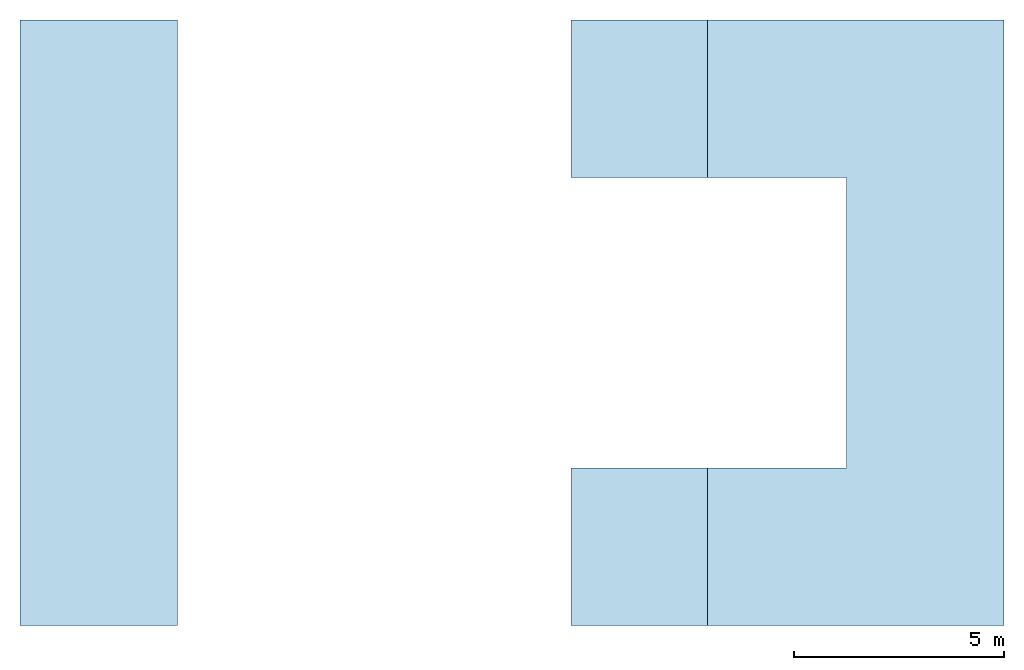
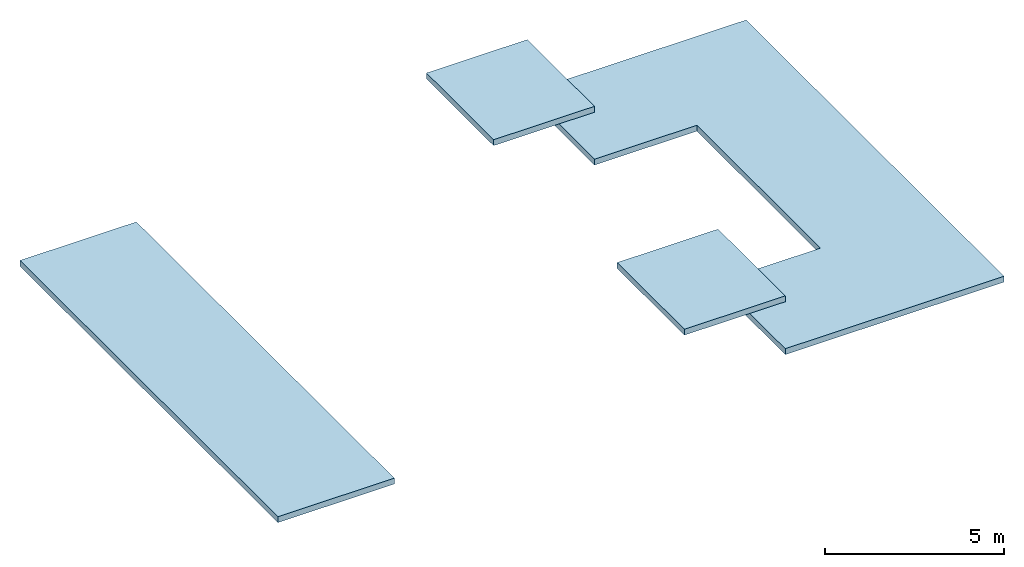
# One storey: 4 slabs.
"""IFC4 building model written with IfcOpenShell, lengths in metres."""

import ifcopenshell
import ifcopenshell.guid

model = None  # the IFC model being written
_history = None  # IfcOwnerHistory: only IFC2X3 demands one
_inside = {}  # id of a spatial element -> (the spatial element, [elements in it])
_under = {}  # id of a project, library or spatial element -> (it, [spatial elements below it])
_declared = {}  # id of a project -> (the project, [libraries it declares])
_typed = {}  # id of a type object -> (the type object, [elements of that type])
_made_of = {}  # id of a material, layer set ... -> (it, [elements and type objects made of it])


def new_model(schema):
    """Start an empty IFC model of exactly this schema.

    Asked for "IFC4X3", IfcOpenShell would pick the latest addendum, in which some entities
    have other attributes; the version numbers below select the first issue.
    IFC2X3 requires an IfcOwnerHistory on every rooted entity: one is made here for all.
    """
    global model, _history
    if schema == "IFC4X3":
        model = ifcopenshell.file(schema_version=(4, 3, 0, 0))
    else:
        model = ifcopenshell.file(schema=schema)
    _inside.clear()
    _under.clear()
    _declared.clear()
    _typed.clear()
    _made_of.clear()
    _history = None
    if model.schema == "IFC2X3":
        org = make("IfcOrganization", Name="unknown")
        user = make(
            "IfcPersonAndOrganization",
            ThePerson=make("IfcPerson", FamilyName="unknown"),
            TheOrganization=org,
        )
        app = make(
            "IfcApplication",
            ApplicationDeveloper=org,
            Version="unknown",
            ApplicationFullName="unknown",
            ApplicationIdentifier="unknown",
        )
        _history = make(
            "IfcOwnerHistory",
            OwningUser=user,
            OwningApplication=app,
            ChangeAction="ADDED",
            CreationDate=0,
        )
    return model


def make(cls, **values):
    """One entity of the class cls with the attributes given. An attribute that is None is left unset."""
    return model.create_entity(
        cls, **{name: value for name, value in values.items() if value is not None}
    )


def rooted(cls, **values):
    """An entity with a GlobalId (a new one), such as an element, a storey or a relation."""
    return make(cls, GlobalId=ifcopenshell.guid.new(), OwnerHistory=_history, **values)


def si_unit(unit_type, name, prefix=None):
    """IfcSIUnit, for example si_unit("LENGTHUNIT", "METRE", prefix="MILLI")."""
    return make("IfcSIUnit", UnitType=unit_type, Prefix=prefix, Name=name)


def assignment(units):
    """IfcUnitAssignment: the units of a project."""
    return None if units is None else make("IfcUnitAssignment", Units=units)


def point(xyz):
    """IfcCartesianPoint."""
    return None if xyz is None else make("IfcCartesianPoint", Coordinates=xyz)


def direction(xyz):
    """IfcDirection."""
    return None if xyz is None else make("IfcDirection", DirectionRatios=xyz)


def frame(location, z_axis=None, x_axis=None):
    """IfcAxis2Placement3D, a coordinate frame: its origin and axes. An axis left out is left unset."""
    return make(
        "IfcAxis2Placement3D",
        Location=point(location),
        Axis=direction(z_axis),
        RefDirection=direction(x_axis),
    )


def origin():
    """The frame at (0, 0, 0) with its axes left unset."""
    return frame((0.0, 0.0, 0.0))


def place(relative_to, where):
    """IfcLocalPlacement: puts the frame where relative to a parent placement (None: the world)."""
    return make(
        "IfcLocalPlacement", PlacementRelTo=relative_to, RelativePlacement=where
    )


def context(
    kind, dimensions, precision=None, world=None, true_north=None, identifier=None
):
    """IfcGeometricRepresentationContext, for example the 3D "Model" context."""
    return make(
        "IfcGeometricRepresentationContext",
        ContextIdentifier=identifier,
        ContextType=kind,
        CoordinateSpaceDimension=dimensions,
        Precision=precision,
        WorldCoordinateSystem=world,
        TrueNorth=true_north,
    )


def subcontext(parent, identifier, kind, view, scale=None):
    """IfcGeometricRepresentationSubContext, for example "Body" below "Model"."""
    return make(
        "IfcGeometricRepresentationSubContext",
        ContextIdentifier=identifier,
        ContextType=kind,
        ParentContext=parent,
        TargetScale=scale,
        TargetView=view,
    )


def project(units=None, contexts=None):
    """IfcProject with its units and contexts."""
    return rooted(
        "IfcProject",
        Name="project",
        RepresentationContexts=contexts,
        UnitsInContext=assignment(units),
    )


def spatial(cls, under=None, at=None, **own):
    """A site, building, storey or space (cls), placed at a placement, below another one or the project."""
    s = rooted(cls, ObjectPlacement=at, **own)
    if under is not None:
        _under.setdefault(under.id(), (under, []))[1].append(s)
    return s


def polyline(points):
    """IfcPolyline through the points."""
    return make("IfcPolyline", Points=[point(p) for p in points])


def outline(outer, holes=None, kind="AREA"):
    """IfcArbitraryClosedProfileDef: a profile drawn as a closed curve; with holes, ...WithVoids."""
    if holes is None:
        return make("IfcArbitraryClosedProfileDef", ProfileType=kind, OuterCurve=outer)
    return make(
        "IfcArbitraryProfileDefWithVoids",
        ProfileType=kind,
        OuterCurve=outer,
        InnerCurves=holes,
    )


def extrude(swept, where, along, depth):
    """IfcExtrudedAreaSolid: the profile swept, set in the frame where, extruded along a direction by depth."""
    return make(
        "IfcExtrudedAreaSolid",
        SweptArea=swept,
        Position=where,
        ExtrudedDirection=direction(along),
        Depth=depth,
    )


def shape(context_of_items, identifier, shape_type, items):
    """IfcShapeRepresentation: the items that make up one representation, for example the "Body"."""
    return make(
        "IfcShapeRepresentation",
        ContextOfItems=context_of_items,
        RepresentationIdentifier=identifier,
        RepresentationType=shape_type,
        Items=items,
    )


def material(Name=None, Category=None):
    """IfcMaterial."""
    return make("IfcMaterial", Name=Name, Category=Category)


def layer(
    of_material, thickness, ventilated=None, Name=None, Category=None, Priority=None
):
    """IfcMaterialLayer: one layer of a wall or slab, of a material (None: an air gap)."""
    return make(
        "IfcMaterialLayer",
        Material=of_material,
        LayerThickness=thickness,
        IsVentilated=ventilated,
        Name=Name,
        Category=Category,
        Priority=Priority,
    )


def layer_set(layers, Name=None):
    """IfcMaterialLayerSet."""
    return make("IfcMaterialLayerSet", MaterialLayers=layers, LayerSetName=Name)


def made_of(thing, what):
    """Note that an element or type object is made of a material, layer set ...; save() writes the relation."""
    if what is not None:
        _made_of.setdefault(what.id(), (what, []))[1].append(thing)
    return thing


def type_object(cls, material=None, **own):
    """A type object (cls), such as IfcWallType, which elements share."""
    return made_of(rooted(cls, **own), material)


def element(
    cls,
    number,
    at=None,
    inside=None,
    cuts=None,
    type_object=None,
    material=None,
    context=None,
    identifier="Body",
    shape_type=None,
    held_by="IfcProductDefinitionShape",
    body=None,
    shapes=None,
    **own,
):
    """One element of the class cls, such as IfcWall. Its Tag is "e" and its number.

    at: its placement. inside: the storey or other place that contains it. cuts: it is an
    opening in that element (IfcRelVoidsElement). A single representation is given by context,
    identifier, shape_type and body (its items); several are given by shapes. held_by: the class
    of the entity that holds the representations. save() writes the other relations.
    """
    e = rooted(cls, Tag="e%d" % number, ObjectPlacement=at, **own)
    if body is not None:
        shapes = [shape(context, identifier, shape_type, body)]
    if shapes is not None:
        e.Representation = make(held_by, Representations=shapes)
    if inside is not None:
        _inside.setdefault(inside.id(), (inside, []))[1].append(e)
    if cuts is not None:
        rooted(
            "IfcRelVoidsElement", RelatingBuildingElement=cuts, RelatedOpeningElement=e
        )
    if type_object is not None:
        _typed.setdefault(type_object.id(), (type_object, []))[1].append(e)
    return made_of(e, material)


def aggregate(whole, parts):
    """IfcRelAggregates: a whole, such as a stair, and the parts it consists of."""
    return rooted("IfcRelAggregates", RelatingObject=whole, RelatedObjects=parts)


def save(model, path):
    """Write the relations noted so far, then the file.

    IfcRelAggregates (storeys below a building ...), IfcRelContainedInSpatialStructure (elements
    in a storey), IfcRelDefinesByType, IfcRelAssociatesMaterial and IfcRelDeclares: one each for
    every whole, place, type object, material and project.
    """
    for whole, parts in _under.values():
        aggregate(whole, parts)
    for where, things in _inside.values():
        rooted(
            "IfcRelContainedInSpatialStructure",
            RelatedElements=things,
            RelatingStructure=where,
        )
    for kind, things in _typed.values():
        rooted("IfcRelDefinesByType", RelatedObjects=things, RelatingType=kind)
    for what, things in _made_of.values():
        rooted("IfcRelAssociatesMaterial", RelatedObjects=things, RelatingMaterial=what)
    for by, libraries in _declared.values():
        rooted("IfcRelDeclares", RelatingContext=by, RelatedDefinitions=libraries)
    model.write(path)


model = new_model("IFC4")

# Units and contexts
model_context = context("Model", 3, precision=1e-05, world=origin(), true_north=direction((0.0, 1.0)))
body_context = subcontext(model_context, "Body", "Model", "MODEL_VIEW")
ifc_project = project(units=[si_unit("LENGTHUNIT", "METRE"), si_unit("AREAUNIT", "SQUARE_METRE"), si_unit("VOLUMEUNIT", "CUBIC_METRE"), si_unit("PLANEANGLEUNIT", "RADIAN"), si_unit("MASSUNIT", "GRAM", prefix="KILO")], contexts=[model_context])

# Site, building, storey
site_placement = place(None, origin())
site = spatial("IfcSite", under=ifc_project, at=site_placement, CompositionType="ELEMENT")
building_placement = place(site_placement, origin())
building = spatial("IfcBuilding", under=site, at=building_placement, Name="Loomwork Tower", CompositionType="ELEMENT")
storey_placement = place(building_placement, frame((0.0, 0.0, 283.800048828125)))
storey = spatial("IfcBuildingStorey", under=building, at=storey_placement, Name="ROOF", CompositionType="ELEMENT", Elevation=283.800048828125)

# Slabs
ifc_material = material(Name="Concrete 5000 psi (34 MPa) on composite metal deck", Category="concrete")
ifc_layer = layer(ifc_material, 0.199951171875)
ifc_layer_set = layer_set([ifc_layer], Name="Roof slab 200")
slab_type = type_object("IfcSlabType", Name="Roof slab 200", PredefinedType="ROOF", material=ifc_layer_set)
slab_1_placement = place(storey_placement, frame((0.0, 0.0, -0.400146484375)))
element("IfcSlab", 1, at=slab_1_placement, inside=storey, type_object=slab_type, Name="Stair A head-house roof slab", PredefinedType="ROOF", context=body_context, shape_type="SweptSolid", body=[
    extrude(outline(polyline([(14.550048828125, 10.800048828125), (14.550048828125, 25.199951171875), (10.800048828125, 25.199951171875), (10.800048828125, 10.800048828125), (14.550048828125, 10.800048828125)])), origin(), (0.0, 0.0, 1.0), 0.2001953125),
])
slab_2_placement = place(storey_placement, frame((0.0, 0.0, -0.400146484375)))
element("IfcSlab", 2, at=slab_2_placement, inside=storey, type_object=slab_type, Name="Stair B and fire service lift penthouse roof slab", PredefinedType="ROOF", context=body_context, shape_type="SweptSolid", body=[
    extrude(outline(polyline([(30.449951171875, 14.550048828125), (30.449951171875, 21.449951171875), (27.14990234375, 21.449951171875), (27.14990234375, 25.199951171875), (30.449951171875, 25.199951171875), (30.60009765625, 25.199951171875), (34.199951171875, 25.199951171875), (34.199951171875, 10.800048828125), (30.60009765625, 10.800048828125), (30.449951171875, 10.800048828125), (27.14990234375, 10.800048828125), (27.14990234375, 14.550048828125), (30.449951171875, 14.550048828125)])), origin(), (0.0, 0.0, 1.0), 0.2001953125),
])
slab_3_placement = place(storey_placement, frame((0.0, 0.0, 1.39990234375)))
element("IfcSlab", 3, at=slab_3_placement, inside=storey, type_object=slab_type, Name="Lift LF1 overrun cap slab", PredefinedType="ROOF", context=body_context, shape_type="SweptSolid", body=[
    extrude(outline(polyline([(23.89990234375, 10.800048828125), (27.14990234375, 10.800048828125), (27.14990234375, 14.550048828125), (23.89990234375, 14.550048828125), (23.89990234375, 10.800048828125)])), origin(), (0.0, 0.0, 1.0), 0.199951171875),
])
slab_4_placement = place(storey_placement, frame((0.0, 0.0, 1.39990234375)))
element("IfcSlab", 4, at=slab_4_placement, inside=storey, type_object=slab_type, Name="Lift LF2 overrun cap slab", PredefinedType="ROOF", context=body_context, shape_type="SweptSolid", body=[
    extrude(outline(polyline([(23.89990234375, 21.449951171875), (27.14990234375, 21.449951171875), (27.14990234375, 25.199951171875), (23.89990234375, 25.199951171875), (23.89990234375, 21.449951171875)])), origin(), (0.0, 0.0, 1.0), 0.199951171875),
])

save(model, "model.ifc")
